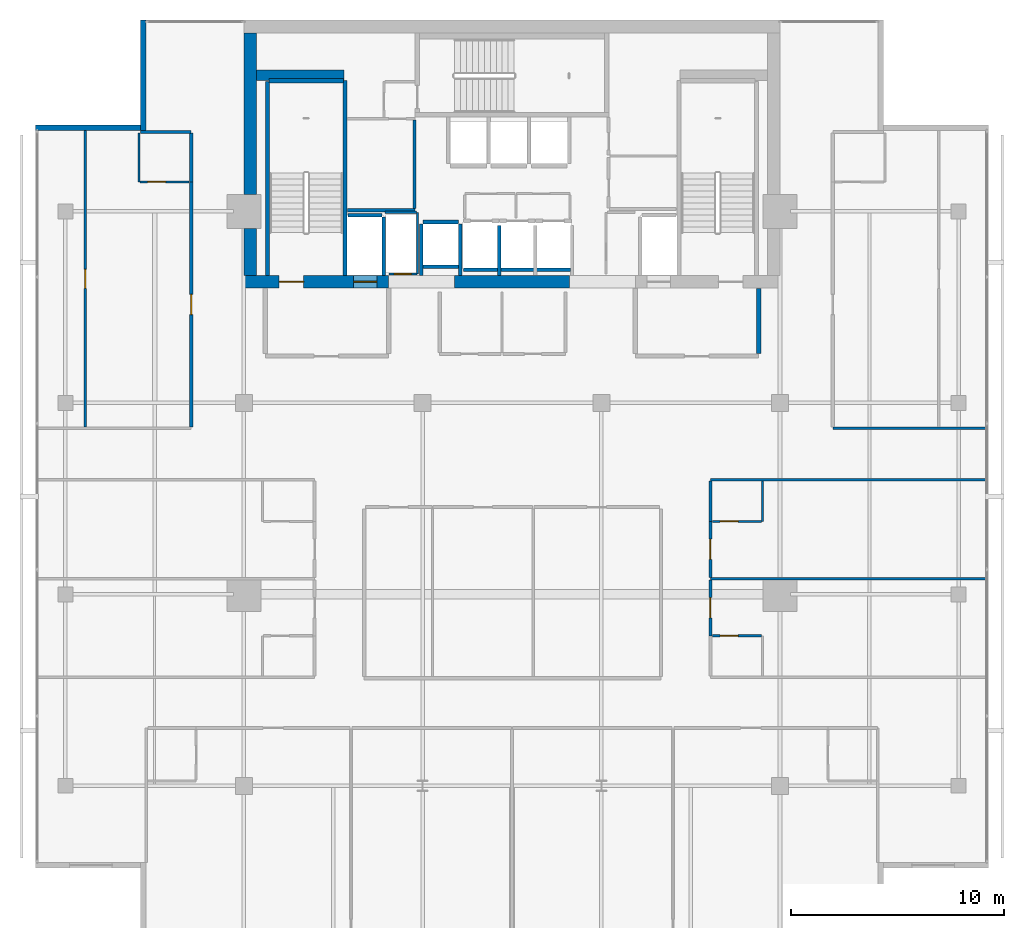
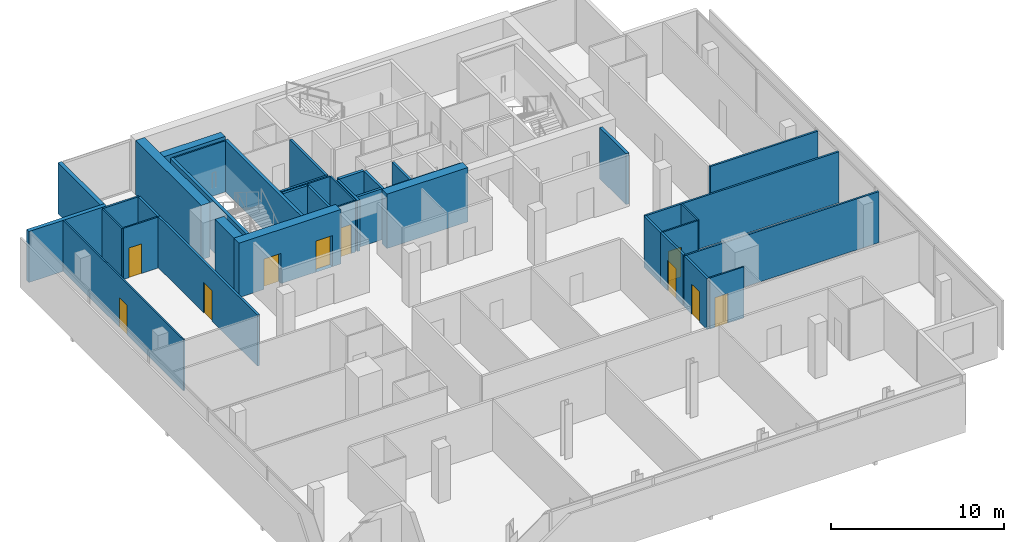
# One storey, part 21 of 25: 39 walls, 10 doors, 10 openings.
"""IFC4 building model written with IfcOpenShell, lengths in metres."""

from ifc_helpers import new_model, si_unit, direction, frame, frame_2d, origin, place, context, subcontext, project, spatial, rectangle, extrude, material, layer, layer_set, type_object, element, fill, save


model = new_model("IFC4")

# Units and contexts
model_context = context("Model", 3, precision=1e-05, world=origin(), true_north=direction((0.0, 1.0)))
body_context = subcontext(model_context, "Body", "Model", "MODEL_VIEW")
ifc_project = project(units=[si_unit("LENGTHUNIT", "METRE"), si_unit("AREAUNIT", "SQUARE_METRE"), si_unit("VOLUMEUNIT", "CUBIC_METRE"), si_unit("PLANEANGLEUNIT", "RADIAN"), si_unit("MASSUNIT", "GRAM", prefix="KILO")], contexts=[model_context])

# Site, building, storey
site_placement = place(None, origin())
site = spatial("IfcSite", under=ifc_project, at=site_placement, CompositionType="ELEMENT")
building_placement = place(site_placement, origin())
building = spatial("IfcBuilding", under=site, at=building_placement, Name="Maruvema Waterfront Hotel and Observation Tower", CompositionType="ELEMENT")
storey_placement = place(building_placement, frame((0.0, 0.0, 277.89990234375)))
storey = spatial("IfcBuildingStorey", under=building, at=storey_placement, Name="L68", CompositionType="ELEMENT", Elevation=277.89990234375)

# Walls
ifc_material_1 = material(Name="Twin-stud acoustic gypsum drywall", Category="gypsum")
ifc_layer_1 = layer(ifc_material_1, 0.14990234375, Name="Acoustic Corridor and Suite Demising Wall 150 mm")
ifc_layer_set_1 = layer_set([ifc_layer_1], Name="Twin-stud acoustic gypsum drywall")
wall_type_1 = type_object("IfcWallType", Name="Acoustic Corridor and Suite Demising Wall 150 mm", PredefinedType="PARTITIONING", material=ifc_layer_set_1)
wall_1_placement = place(storey_placement, frame((30.06005859375, 45.06005859375, 0.0), z_axis=(0.0, 0.0, 1.0), x_axis=(1.0, 0.0, 0.0)))
element("IfcWall", 1, at=wall_1_placement, inside=storey, type_object=wall_type_1, Name="L68 Freed B1 South Wall 017", PredefinedType="PARTITIONING", context=body_context, shape_type="SweptSolid", body=[
    extrude(rectangle(XDim=3.179931640625, YDim=0.14990234375, at=frame_2d((1.58984375, 0.0))), origin(), (0.0, 0.0, 1.0), 3.610107421875),
])
wall_2_placement = place(storey_placement, frame((33.219970703125, 45.139892578125, 0.0), z_axis=(0.0, 0.0, 1.0), x_axis=(0.0, 1.0, 0.0)))
element("IfcWall", 2, at=wall_2_placement, inside=storey, type_object=wall_type_1, Name="L68 Freed B1 East Wall 018", PredefinedType="PARTITIONING", context=body_context, shape_type="SweptSolid", body=[
    extrude(rectangle(XDim=4.16015625, YDim=0.14990234375, at=frame_2d((2.080078125, 0.0))), origin(), (0.0, 0.0, 1.0), 3.610107421875),
])

# Wall, opening, door
wall_3_placement = place(storey_placement, frame((47.1298828125, 25.050048828125, 0.0), z_axis=(0.0, 0.0, 1.0), x_axis=(0.0, 1.0, 0.0)))
wall_3 = element("IfcWall", 3, at=wall_3_placement, inside=storey, type_object=wall_type_1, Name="L68 Room L68-E1 Corridor Wall 063", PredefinedType="PARTITIONING", context=body_context, shape_type="SweptSolid", body=[
    extrude(rectangle(XDim=2.6298828125, YDim=0.14990234375, at=frame_2d((1.31494140625, 0.0))), origin(), (0.0, 0.0, 1.0), 3.610107421875),
])
opening_1_placement = place(wall_3_placement, frame((0.840087890625, 0.0, 0.0)))
opening_1 = element("IfcOpeningElement", 4, at=opening_1_placement, cuts=wall_3, Name="Opening DR-095", PredefinedType="OPENING", context=body_context, shape_type="SweptSolid", body=[
    extrude(rectangle(XDim=0.949951171875, YDim=2.14990234375, at=frame_2d((0.47509765625, 1.074951171875))), frame((0.0, 0.0849609375, 0.0), z_axis=(0.0, -1.0, 0.0), x_axis=(1.0, 0.0, 0.0)), (0.0, 0.0, 1.0), 0.169921875),
])
ifc_material_2 = material(Name="Acoustic solid-core hardwood timber leaf", Category="wood")
door_type_1 = type_object("IfcDoorType", Name="Guestroom Entrance Fire Door 950x2150 mm", OperationType="NOTDEFINED", PredefinedType="DOOR", material=ifc_material_2)
door_1_placement = place(opening_1_placement, frame((0.949951171875, 0.0, 0.0), z_axis=(0.0, 0.0, 1.0), x_axis=(-1.0, 0.0, 0.0)))
door_1 = element("IfcDoor", 5, at=door_1_placement, inside=storey, type_object=door_type_1, Name="L68 Room L68-E1 Entrance Door", OperationType="SINGLE_SWING_LEFT", OverallHeight=2.14990234375, OverallWidth=0.949951171875, PredefinedType="DOOR", context=body_context, shape_type="SweptSolid", body=[
    extrude(rectangle(XDim=0.949951171875, YDim=2.14990234375, at=frame_2d((0.47509765625, 1.074951171875))), frame((0.0, 0.02490234375, 0.0), z_axis=(0.0, -1.0, 0.0), x_axis=(1.0, 0.0, 0.0)), (0.0, 0.0, 1.0), 0.050048828125),
])
fill(opening_1, door_1)

wall_4_placement = place(storey_placement, frame((47.1298828125, 27.800048828125, 0.0), z_axis=(0.0, 0.0, 1.0), x_axis=(0.0, 1.0, 0.0)))
wall_4 = element("IfcWall", 6, at=wall_4_placement, inside=storey, type_object=wall_type_1, Name="L68 Room L68-E2 Corridor Wall 072", PredefinedType="PARTITIONING", context=body_context, shape_type="SweptSolid", body=[
    extrude(rectangle(XDim=2.6298828125, YDim=0.14990234375, at=frame_2d((1.31494140625, 0.0))), origin(), (0.0, 0.0, 1.0), 3.610107421875),
])
opening_2_placement = place(wall_4_placement, frame((0.840087890625, 0.0, 0.0)))
opening_2 = element("IfcOpeningElement", 7, at=opening_2_placement, cuts=wall_4, Name="Opening DR-095", PredefinedType="OPENING", context=body_context, shape_type="SweptSolid", body=[
    extrude(rectangle(XDim=0.949951171875, YDim=2.14990234375, at=frame_2d((0.47509765625, 1.074951171875))), frame((0.0, 0.0849609375, 0.0), z_axis=(0.0, -1.0, 0.0), x_axis=(1.0, 0.0, 0.0)), (0.0, 0.0, 1.0), 0.169921875),
])
door_2_placement = place(opening_2_placement, frame((0.949951171875, 0.0, 0.0), z_axis=(0.0, 0.0, 1.0), x_axis=(-1.0, 0.0, 0.0)))
door_2 = element("IfcDoor", 8, at=door_2_placement, inside=storey, type_object=door_type_1, Name="L68 Room L68-E2 Entrance Door", OperationType="SINGLE_SWING_LEFT", OverallHeight=2.14990234375, OverallWidth=0.949951171875, PredefinedType="DOOR", context=body_context, shape_type="SweptSolid", body=[
    extrude(rectangle(XDim=0.949951171875, YDim=2.14990234375, at=frame_2d((0.47509765625, 1.074951171875))), frame((0.0, 0.02490234375, 0.0), z_axis=(0.0, -1.0, 0.0), x_axis=(1.0, 0.0, 0.0)), (0.0, 0.0, 1.0), 0.050048828125),
])
fill(opening_2, door_2)

# Wall
wall_5_placement = place(storey_placement, frame((47.1298828125, 30.429931640625, 0.0), z_axis=(0.0, 0.0, 1.0), x_axis=(0.0, 1.0, 0.0)))
element("IfcWall", 9, at=wall_5_placement, inside=storey, type_object=wall_type_1, Name="L68 Bath L68-E2 Wall 073", PredefinedType="PARTITIONING", context=body_context, shape_type="SweptSolid", body=[
    extrude(rectangle(XDim=1.89013671875, YDim=0.14990234375, at=frame_2d((0.945068359375, 0.0))), origin(), (0.0, 0.0, 1.0), 3.610107421875),
])

# Wall, opening, door
wall_6_placement = place(storey_placement, frame((22.719970703125, 34.860107421875, 0.0), z_axis=(0.0, 0.0, 1.0), x_axis=(0.0, 1.0, 0.0)))
wall_6 = element("IfcWall", 10, at=wall_6_placement, inside=storey, type_object=wall_type_1, Name="L68 Room L68-NW1 Corridor Wall 080", PredefinedType="PARTITIONING", context=body_context, shape_type="SweptSolid", body=[
    extrude(rectangle(XDim=11.52734375, YDim=0.14990234375, at=frame_2d((5.763671875, 0.0))), origin(), (0.0, 0.0, 1.0), 3.610107421875),
])
opening_3_placement = place(wall_6_placement, frame((5.288818359375, 0.0, 0.0)))
opening_3 = element("IfcOpeningElement", 11, at=opening_3_placement, cuts=wall_6, Name="Opening DR-095", PredefinedType="OPENING", context=body_context, shape_type="SweptSolid", body=[
    extrude(rectangle(XDim=0.949951171875, YDim=2.14990234375, at=frame_2d((0.47509765625, 1.074951171875))), frame((0.0, 0.0849609375, 0.0), z_axis=(0.0, -1.0, 0.0), x_axis=(1.0, 0.0, 0.0)), (0.0, 0.0, 1.0), 0.169921875),
])
door_3_placement = place(opening_3_placement, origin())
door_3 = element("IfcDoor", 12, at=door_3_placement, inside=storey, type_object=door_type_1, Name="L68 Room L68-NW1 Entrance Door", OperationType="SINGLE_SWING_LEFT", OverallHeight=2.14990234375, OverallWidth=0.949951171875, PredefinedType="DOOR", context=body_context, shape_type="SweptSolid", body=[
    extrude(rectangle(XDim=0.949951171875, YDim=2.14990234375, at=frame_2d((0.47509765625, 1.074951171875))), frame((0.0, 0.02490234375, 0.0), z_axis=(0.0, -1.0, 0.0), x_axis=(1.0, 0.0, 0.0)), (0.0, 0.0, 1.0), 0.050048828125),
])
fill(opening_3, door_3)

# Walls
wall_7_placement = place(storey_placement, frame((22.719970703125, 46.387451171875, 0.0), z_axis=(0.0, 0.0, 1.0), x_axis=(0.0, 1.0, 0.0)))
element("IfcWall", 13, at=wall_7_placement, inside=storey, type_object=wall_type_1, Name="L68 Bath L68-NW1 Wall 081", PredefinedType="PARTITIONING", context=body_context, shape_type="SweptSolid", body=[
    extrude(rectangle(XDim=2.2900390625, YDim=0.14990234375, at=frame_2d((1.14501953125, 0.0))), origin(), (0.0, 0.0, 1.0), 3.610107421875),
])
ifc_material_3 = material(Name="Precast concrete C45/55", Category="concrete")
ifc_layer_2 = layer(ifc_material_3, 0.199951171875, Name="Core Shaft and Stairwell Enclosure Wall 200 mm")
ifc_layer_set_2 = layer_set([ifc_layer_2], Name="Precast concrete C45/55")
wall_type_2 = type_object("IfcWallType", Name="Core Shaft and Stairwell Enclosure Wall 200 mm", PredefinedType="SOLIDWALL", material=ifc_layer_set_2)
wall_8_placement = place(storey_placement, frame((29.949951171875, 42.0, 0.0), z_axis=(0.0, 0.0, 1.0), x_axis=(0.0, 1.0, 0.0)))
element("IfcWall", 14, at=wall_8_placement, inside=storey, type_object=wall_type_2, Name="L68 Stairwell ST-01 East Shaft Wall", PredefinedType="SOLIDWALL", context=body_context, shape_type="SweptSolid", body=[
    extrude(rectangle(XDim=9.14990234375, YDim=0.199951171875, at=frame_2d((4.574951171875, 0.0))), origin(), (0.0, 0.0, 1.0), 3.610107421875),
])
wall_9_placement = place(storey_placement, frame((26.300048828125, 42.0, 0.0), z_axis=(0.0, 0.0, 1.0), x_axis=(0.0, 1.0, 0.0)))
element("IfcWall", 15, at=wall_9_placement, inside=storey, type_object=wall_type_2, Name="L68 Stairwell ST-01 Shaft Lining Wall", PredefinedType="SOLIDWALL", context=body_context, shape_type="SweptSolid", body=[
    extrude(rectangle(XDim=9.1201171875, YDim=0.199951171875, at=frame_2d((4.56005859375, 0.0))), origin(), (0.0, 0.0, 1.0), 3.610107421875),
])
wall_10_placement = place(storey_placement, frame((26.3798828125, 51.14990234375, 0.0), z_axis=(0.0, 0.0, 1.0), x_axis=(1.0, 0.0, 0.0)))
element("IfcWall", 16, at=wall_10_placement, inside=storey, type_object=wall_type_2, Name="L68 Stairwell ST-01 Shaft Lining Wall", PredefinedType="SOLIDWALL", context=body_context, shape_type="SweptSolid", body=[
    extrude(rectangle(XDim=3.5, YDim=0.199951171875, at=frame_2d((1.75, 0.0))), origin(), (0.0, 0.0, 1.0), 3.610107421875),
])
wall_11_placement = place(storey_placement, frame((33.610107421875, 44.5, 0.0), z_axis=(0.0, 0.0, 1.0), x_axis=(1.0, 0.0, 0.0)))
element("IfcWall", 17, at=wall_11_placement, inside=storey, type_object=wall_type_2, Name="L68 Lift LF-15 Hoistway Front Wall", PredefinedType="SOLIDWALL", context=body_context, shape_type="SweptSolid", body=[
    extrude(rectangle(XDim=1.679931640625, YDim=0.199951171875, at=frame_2d((0.83984375, 0.0))), origin(), (0.0, 0.0, 1.0), 3.610107421875),
])
ifc_material_4 = material(Name="Concrete C70/85", Category="concrete")
ifc_layer_3 = layer(ifc_material_4, 0.5, Name="Core Shear Wall 500 mm")
ifc_layer_set_3 = layer_set([ifc_layer_3], Name="Concrete C70/85")
wall_type_3 = type_object("IfcWallType", Name="Core Shear Wall 500 mm", PredefinedType="SHEAR", material=ifc_layer_set_3)
wall_12_placement = place(storey_placement, frame((25.800048828125, 51.39990234375, 0.0), z_axis=(0.0, 0.0, 1.0), x_axis=(1.0, 0.0, 0.0)))
element("IfcWall", 18, at=wall_12_placement, inside=storey, type_object=wall_type_3, Name="L68 Internal Core Shear Wall NW 500 mm", PredefinedType="SHEAR", context=body_context, shape_type="SweptSolid", body=[
    extrude(rectangle(XDim=4.099853515625, YDim=0.5, at=frame_2d((2.0498046875, 0.0))), origin(), (0.0, 0.0, 1.0), 3.85009765625),
])

# Wall, openings, doors
ifc_material_5 = material(Name="Concrete C60/75", Category="concrete")
ifc_layer_4 = layer(ifc_material_5, 0.60009765625, Name="Core Shear Wall 600 mm")
ifc_layer_set_4 = layer_set([ifc_layer_4], Name="Concrete C60/75")
wall_type_4 = type_object("IfcWallType", Name="Core Shear Wall 600 mm", PredefinedType="SHEAR", material=ifc_layer_set_4)
wall_13_placement = place(storey_placement, frame((25.199951171875, 41.699951171875, 0.0), z_axis=(0.0, 0.0, 1.0), x_axis=(1.0, 0.0, 0.0)))
wall_13 = element("IfcWall", 19, at=wall_13_placement, inside=storey, type_object=wall_type_4, Name="L68 South-West Core Shear Wall", PredefinedType="SHEAR", context=body_context, shape_type="SweptSolid", body=[
    extrude(rectangle(XDim=6.800048828125, YDim=0.60009765625, at=frame_2d((3.39990234375, 0.0))), origin(), (0.0, 0.0, 1.0), 3.85009765625),
])
opening_4_placement = place(wall_13_placement, frame((1.64990234375, 0.0, 0.0)))
opening_4 = element("IfcOpeningElement", 20, at=opening_4_placement, cuts=wall_13, Name="Opening SD-01", PredefinedType="OPENING", context=body_context, shape_type="SweptSolid", body=[
    extrude(rectangle(XDim=1.14990234375, YDim=2.14990234375, at=frame_2d((0.574951171875, 1.074951171875))), frame((0.0, 0.31005859375, 0.0), z_axis=(0.0, -1.0, 0.0), x_axis=(1.0, 0.0, 0.0)), (0.0, 0.0, 1.0), 0.6201171875),
])
opening_5_placement = place(wall_13_placement, frame((5.14990234375, 0.0, 0.0)))
opening_5 = element("IfcOpeningElement", 21, at=opening_5_placement, cuts=wall_13, Name="Opening LD-03", PredefinedType="OPENING", context=body_context, shape_type="SweptSolid", body=[
    extrude(rectangle(XDim=1.10009765625, YDim=2.199951171875, at=frame_2d((0.550048828125, 1.10009765625))), frame((0.0, 0.31005859375, 0.0), z_axis=(0.0, -1.0, 0.0), x_axis=(1.0, 0.0, 0.0)), (0.0, 0.0, 1.0), 0.6201171875),
])
ifc_material_6 = material(Name="Fire-rated galvanised steel leaf", Category="steel")
door_type_2 = type_object("IfcDoorType", Name="Exit Stair Fire Door 1150x2150 mm", OperationType="NOTDEFINED", PredefinedType="DOOR", material=ifc_material_6)
door_4_placement = place(opening_4_placement, origin())
door_4 = element("IfcDoor", 22, at=door_4_placement, inside=storey, type_object=door_type_2, Name="L68 Exit Stair ST-01 Fire Door", OperationType="SINGLE_SWING_LEFT", OverallHeight=2.14990234375, OverallWidth=1.14990234375, PredefinedType="DOOR", context=body_context, shape_type="SweptSolid", body=[
    extrude(rectangle(XDim=1.14990234375, YDim=2.14990234375, at=frame_2d((0.574951171875, 1.074951171875))), frame((0.0, 0.02490234375, 0.0), z_axis=(0.0, -1.0, 0.0), x_axis=(1.0, 0.0, 0.0)), (0.0, 0.0, 1.0), 0.050048828125),
])
fill(opening_4, door_4)
ifc_material_7 = material(Name="Brushed stainless steel Grade 316", Category="steel")
door_type_3 = type_object("IfcDoorType", Name="Firefighting Lift Sliding Landing Door 1100x2200 mm", OperationType="SLIDING_TO_LEFT", PredefinedType="DOOR", material=ifc_material_7)
door_5_placement = place(opening_5_placement, frame((1.10009765625, 0.0, 0.0), z_axis=(0.0, 0.0, 1.0), x_axis=(-1.0, 0.0, 0.0)))
door_5 = element("IfcDoor", 23, at=door_5_placement, inside=storey, type_object=door_type_3, Name="L68 Firefighting Lift FL-01 Landing Door", OperationType="SLIDING_TO_LEFT", OverallHeight=2.199951171875, OverallWidth=1.10009765625, PredefinedType="DOOR", context=body_context, shape_type="SweptSolid", body=[
    extrude(rectangle(XDim=1.10009765625, YDim=2.199951171875, at=frame_2d((0.550048828125, 1.10009765625))), frame((0.0, 0.02490234375, 0.0), z_axis=(0.0, -1.0, 0.0), x_axis=(1.0, 0.0, 0.0)), (0.0, 0.0, 1.0), 0.050048828125),
])
fill(opening_5, door_5)

# Walls
wall_14_placement = place(storey_placement, frame((35.10009765625, 41.699951171875, 0.0), z_axis=(0.0, 0.0, 1.0), x_axis=(1.0, 0.0, 0.0)))
element("IfcWall", 24, at=wall_14_placement, inside=storey, type_object=wall_type_4, Name="L68 South-Central Core Shear Wall", PredefinedType="SHEAR", context=body_context, shape_type="SweptSolid", body=[
    extrude(rectangle(XDim=5.39990234375, YDim=0.60009765625, at=frame_2d((2.699951171875, 0.0))), origin(), (0.0, 0.0, 1.0), 3.85009765625),
])
wall_15_placement = place(storey_placement, frame((25.5, 42.0, 0.0), z_axis=(0.0, 0.0, 1.0), x_axis=(0.0, 1.0, 0.0)))
element("IfcWall", 25, at=wall_15_placement, inside=storey, type_object=wall_type_4, Name="L68 West-South Core Shear Wall", PredefinedType="SHEAR", context=body_context, shape_type="SweptSolid", body=[
    extrude(rectangle(XDim=2.199951171875, YDim=0.60009765625, at=frame_2d((1.10009765625, 0.0))), origin(), (0.0, 0.0, 1.0), 3.85009765625),
])
wall_16_placement = place(storey_placement, frame((25.5, 45.800048828125, 0.0), z_axis=(0.0, 0.0, 1.0), x_axis=(0.0, 1.0, 0.0)))
element("IfcWall", 26, at=wall_16_placement, inside=storey, type_object=wall_type_4, Name="L68 West-North Core Shear Wall", PredefinedType="SHEAR", context=body_context, shape_type="SweptSolid", body=[
    extrude(rectangle(XDim=7.599853515625, YDim=0.60009765625, at=frame_2d((3.7998046875, 0.0))), origin(), (0.0, 0.0, 1.0), 3.85009765625),
])

# Wall, opening, door
ifc_material_8 = material(Name="Moisture-resistant cement-board drywall", Category="gypsum")
ifc_layer_5 = layer(ifc_material_8, 0.10009765625, Name="En-Suite Moisture-Resistant Partition 100 mm")
ifc_layer_set_5 = layer_set([ifc_layer_5], Name="Moisture-resistant cement-board drywall")
wall_type_5 = type_object("IfcWallType", Name="En-Suite Moisture-Resistant Partition 100 mm", PredefinedType="PARTITIONING", material=ifc_layer_set_5)
wall_17_placement = place(storey_placement, frame((32.02001953125, 42.06005859375, 0.0), z_axis=(0.0, 0.0, 1.0), x_axis=(1.0, 0.0, 0.0)))
wall_17 = element("IfcWall", 27, at=wall_17_placement, inside=storey, type_object=wall_type_5, Name="L68 Telecom Riser South Wall 007", PredefinedType="PARTITIONING", context=body_context, shape_type="SweptSolid", body=[
    extrude(rectangle(XDim=1.320068359375, YDim=0.10009765625, at=frame_2d((0.66015625, 0.0))), origin(), (0.0, 0.0, 1.0), 3.610107421875),
])
opening_6_placement = place(wall_17_placement, frame((0.239990234375, 0.0, 0.0)))
opening_6 = element("IfcOpeningElement", 28, at=opening_6_placement, cuts=wall_17, Name="Opening DR-080", PredefinedType="OPENING", context=body_context, shape_type="SweptSolid", body=[
    extrude(rectangle(XDim=0.800048828125, YDim=2.050048828125, at=frame_2d((0.39990234375, 1.02490234375))), frame((0.0, 0.06005859375, 0.0), z_axis=(0.0, -1.0, 0.0), x_axis=(1.0, 0.0, 0.0)), (0.0, 0.0, 1.0), 0.1201171875),
])
ifc_material_9 = material(Name="Powder-coated steel access leaf", Category="steel")
door_type_4 = type_object("IfcDoorType", Name="Riser and Service Cupboard Door 800x2050 mm", OperationType="NOTDEFINED", PredefinedType="DOOR", material=ifc_material_9)
door_6_placement = place(opening_6_placement, frame((0.800048828125, 0.0, 0.0), z_axis=(0.0, 0.0, 1.0), x_axis=(-1.0, 0.0, 0.0)))
door_6 = element("IfcDoor", 29, at=door_6_placement, inside=storey, type_object=door_type_4, Name="L68 Telecom Riser Door", OperationType="SINGLE_SWING_LEFT", OverallHeight=2.050048828125, OverallWidth=0.800048828125, PredefinedType="DOOR", context=body_context, shape_type="SweptSolid", body=[
    extrude(rectangle(XDim=0.800048828125, YDim=2.050048828125, at=frame_2d((0.39990234375, 1.02490234375))), frame((0.0, 0.02490234375, 0.0), z_axis=(0.0, -1.0, 0.0), x_axis=(1.0, 0.0, 0.0)), (0.0, 0.0, 1.0), 0.050048828125),
])
fill(opening_6, door_6)

# Walls
wall_18_placement = place(storey_placement, frame((31.840087890625, 44.9599609375, 0.0), z_axis=(0.0, 0.0, 1.0), x_axis=(1.0, 0.0, 0.0)))
element("IfcWall", 30, at=wall_18_placement, inside=storey, type_object=wall_type_5, Name="L68 Telecom Riser North Wall 008", PredefinedType="PARTITIONING", context=body_context, shape_type="SweptSolid", body=[
    extrude(rectangle(XDim=1.47998046875, YDim=0.10009765625, at=frame_2d((0.739990234375, 0.0))), origin(), (0.0, 0.0, 1.0), 3.610107421875),
])
wall_19_placement = place(storey_placement, frame((33.360107421875, 42.06005859375, 0.0), z_axis=(0.0, 0.0, 1.0), x_axis=(0.0, 1.0, 0.0)))
element("IfcWall", 31, at=wall_19_placement, inside=storey, type_object=wall_type_5, Name="L68 Telecom Riser East Wall 009", PredefinedType="PARTITIONING", context=body_context, shape_type="SweptSolid", body=[
    extrude(rectangle(XDim=2.8798828125, YDim=0.10009765625, at=frame_2d((1.43994140625, 0.0))), origin(), (0.0, 0.0, 1.0), 3.610107421875),
])

# Wall, opening, door
wall_20_placement = place(storey_placement, frame((47.22998046875, 25.050048828125, 0.0), z_axis=(0.0, 0.0, 1.0), x_axis=(1.0, 0.0, 0.0)))
wall_20 = element("IfcWall", 32, at=wall_20_placement, inside=storey, type_object=wall_type_5, Name="L68 En-Suite L68-E1 N 065", PredefinedType="PARTITIONING", context=body_context, shape_type="SweptSolid", body=[
    extrude(rectangle(XDim=2.300048828125, YDim=0.10009765625, at=frame_2d((1.14990234375, 0.0))), origin(), (0.0, 0.0, 1.0), 3.610107421875),
])
opening_7_placement = place(wall_20_placement, frame((0.35009765625, 0.0, 0.0)))
opening_7 = element("IfcOpeningElement", 33, at=opening_7_placement, cuts=wall_20, Name="Opening DR-085", PredefinedType="OPENING", context=body_context, shape_type="SweptSolid", body=[
    extrude(rectangle(XDim=0.85009765625, YDim=2.10009765625, at=frame_2d((0.425048828125, 1.050048828125))), frame((0.0, 0.06005859375, 0.0), z_axis=(0.0, -1.0, 0.0), x_axis=(1.0, 0.0, 0.0)), (0.0, 0.0, 1.0), 0.1201171875),
])
ifc_material_10 = material(Name="Moisture-resistant solid timber leaf", Category="wood")
door_type_5 = type_object("IfcDoorType", Name="En-Suite Bathroom Door 850x2100 mm", OperationType="NOTDEFINED", PredefinedType="DOOR", material=ifc_material_10)
door_7_placement = place(opening_7_placement, origin())
door_7 = element("IfcDoor", 34, at=door_7_placement, inside=storey, type_object=door_type_5, Name="L68 En-Suite L68-E1 Door", OperationType="SINGLE_SWING_RIGHT", OverallHeight=2.10009765625, OverallWidth=0.85009765625, PredefinedType="DOOR", context=body_context, shape_type="SweptSolid", body=[
    extrude(rectangle(XDim=0.85009765625, YDim=2.10009765625, at=frame_2d((0.425048828125, 1.050048828125))), frame((0.0, 0.02490234375, 0.0), z_axis=(0.0, -1.0, 0.0), x_axis=(1.0, 0.0, 0.0)), (0.0, 0.0, 1.0), 0.050048828125),
])
fill(opening_7, door_7)

# Wall
wall_21_placement = place(storey_placement, frame((49.580078125, 30.429931640625, 0.0), z_axis=(0.0, 0.0, 1.0), x_axis=(0.0, 1.0, 0.0)))
element("IfcWall", 35, at=wall_21_placement, inside=storey, type_object=wall_type_5, Name="L68 En-Suite L68-E2 E 074", PredefinedType="PARTITIONING", context=body_context, shape_type="SweptSolid", body=[
    extrude(rectangle(XDim=1.89013671875, YDim=0.10009765625, at=frame_2d((0.945068359375, 0.0))), origin(), (0.0, 0.0, 1.0), 3.610107421875),
])

# Wall, opening, door
wall_22_placement = place(storey_placement, frame((47.22998046875, 30.429931640625, 0.0), z_axis=(0.0, 0.0, 1.0), x_axis=(1.0, 0.0, 0.0)))
wall_22 = element("IfcWall", 36, at=wall_22_placement, inside=storey, type_object=wall_type_5, Name="L68 En-Suite L68-E2 S 075", PredefinedType="PARTITIONING", context=body_context, shape_type="SweptSolid", body=[
    extrude(rectangle(XDim=2.300048828125, YDim=0.10009765625, at=frame_2d((1.14990234375, 0.0))), origin(), (0.0, 0.0, 1.0), 3.610107421875),
])
opening_8_placement = place(wall_22_placement, frame((0.35009765625, 0.0, 0.0)))
opening_8 = element("IfcOpeningElement", 37, at=opening_8_placement, cuts=wall_22, Name="Opening DR-085", PredefinedType="OPENING", context=body_context, shape_type="SweptSolid", body=[
    extrude(rectangle(XDim=0.85009765625, YDim=2.10009765625, at=frame_2d((0.425048828125, 1.050048828125))), frame((0.0, 0.06005859375, 0.0), z_axis=(0.0, -1.0, 0.0), x_axis=(1.0, 0.0, 0.0)), (0.0, 0.0, 1.0), 0.1201171875),
])
door_8_placement = place(opening_8_placement, frame((0.85009765625, 0.0, 0.0), z_axis=(0.0, 0.0, 1.0), x_axis=(-1.0, 0.0, 0.0)))
door_8 = element("IfcDoor", 38, at=door_8_placement, inside=storey, type_object=door_type_5, Name="L68 En-Suite L68-E2 Door", OperationType="SINGLE_SWING_RIGHT", OverallHeight=2.10009765625, OverallWidth=0.85009765625, PredefinedType="DOOR", context=body_context, shape_type="SweptSolid", body=[
    extrude(rectangle(XDim=0.85009765625, YDim=2.10009765625, at=frame_2d((0.425048828125, 1.050048828125))), frame((0.0, 0.02490234375, 0.0), z_axis=(0.0, -1.0, 0.0), x_axis=(1.0, 0.0, 0.0)), (0.0, 0.0, 1.0), 0.050048828125),
])
fill(opening_8, door_8)

# Wall
wall_23_placement = place(storey_placement, frame((20.27001953125, 46.387451171875, 0.0), z_axis=(0.0, 0.0, 1.0), x_axis=(0.0, 1.0, 0.0)))
element("IfcWall", 39, at=wall_23_placement, inside=storey, type_object=wall_type_5, Name="L68 En-Suite L68-NW1 W 082", PredefinedType="PARTITIONING", context=body_context, shape_type="SweptSolid", body=[
    extrude(rectangle(XDim=2.2900390625, YDim=0.10009765625, at=frame_2d((1.14501953125, 0.0))), origin(), (0.0, 0.0, 1.0), 3.610107421875),
])

# Wall, opening, door
wall_24_placement = place(storey_placement, frame((20.320068359375, 46.387451171875, 0.0), z_axis=(0.0, 0.0, 1.0), x_axis=(1.0, 0.0, 0.0)))
wall_24 = element("IfcWall", 40, at=wall_24_placement, inside=storey, type_object=wall_type_5, Name="L68 En-Suite L68-NW1 S 083", PredefinedType="PARTITIONING", context=body_context, shape_type="SweptSolid", body=[
    extrude(rectangle(XDim=2.300048828125, YDim=0.10009765625, at=frame_2d((1.14990234375, 0.0))), origin(), (0.0, 0.0, 1.0), 3.610107421875),
])
opening_9_placement = place(wall_24_placement, frame((0.35009765625, 0.0, 0.0)))
opening_9 = element("IfcOpeningElement", 41, at=opening_9_placement, cuts=wall_24, Name="Opening DR-085", PredefinedType="OPENING", context=body_context, shape_type="SweptSolid", body=[
    extrude(rectangle(XDim=0.85009765625, YDim=2.10009765625, at=frame_2d((0.425048828125, 1.050048828125))), frame((0.0, 0.06005859375, 0.0), z_axis=(0.0, -1.0, 0.0), x_axis=(1.0, 0.0, 0.0)), (0.0, 0.0, 1.0), 0.1201171875),
])
door_9_placement = place(opening_9_placement, frame((0.85009765625, 0.0, 0.0), z_axis=(0.0, 0.0, 1.0), x_axis=(-1.0, 0.0, 0.0)))
door_9 = element("IfcDoor", 42, at=door_9_placement, inside=storey, type_object=door_type_5, Name="L68 En-Suite L68-NW1 Door", OperationType="SINGLE_SWING_RIGHT", OverallHeight=2.10009765625, OverallWidth=0.85009765625, PredefinedType="DOOR", context=body_context, shape_type="SweptSolid", body=[
    extrude(rectangle(XDim=0.85009765625, YDim=2.10009765625, at=frame_2d((0.425048828125, 1.050048828125))), frame((0.0, 0.02490234375, 0.0), z_axis=(0.0, -1.0, 0.0), x_axis=(1.0, 0.0, 0.0)), (0.0, 0.0, 1.0), 0.050048828125),
])
fill(opening_9, door_9)

wall_25_placement = place(storey_placement, frame((17.737548828125, 34.860107421875, 0.0), z_axis=(0.0, 0.0, 1.0), x_axis=(0.0, 1.0, 0.0)))
wall_25 = element("IfcWall", 43, at=wall_25_placement, inside=storey, type_object=wall_type_5, Name="L68 Suite L68-NW1 Split 084", PredefinedType="PARTITIONING", context=body_context, shape_type="SweptSolid", body=[
    extrude(rectangle(XDim=13.9375, YDim=0.10009765625, at=frame_2d((6.96875, 0.0))), origin(), (0.0, 0.0, 1.0), 3.610107421875),
])
opening_10_placement = place(wall_25_placement, frame((6.518798828125, 0.0, 0.0)))
opening_10 = element("IfcOpeningElement", 44, at=opening_10_placement, cuts=wall_25, Name="Opening DR-090", PredefinedType="OPENING", context=body_context, shape_type="SweptSolid", body=[
    extrude(rectangle(XDim=0.89990234375, YDim=2.10009765625, at=frame_2d((0.449951171875, 1.050048828125))), frame((0.0, 0.06005859375, 0.0), z_axis=(0.0, -1.0, 0.0), x_axis=(1.0, 0.0, 0.0)), (0.0, 0.0, 1.0), 0.1201171875),
])
ifc_material_11 = material(Name="Solid-core lacquered timber leaf", Category="wood")
door_type_6 = type_object("IfcDoorType", Name="Accessible Toilet and Room Door 900x2100 mm", OperationType="NOTDEFINED", PredefinedType="DOOR", material=ifc_material_11)
door_10_placement = place(opening_10_placement, origin())
door_10 = element("IfcDoor", 45, at=door_10_placement, inside=storey, type_object=door_type_6, Name="L68 Suite L68-NW1 Bedroom Door", OperationType="SINGLE_SWING_RIGHT", OverallHeight=2.10009765625, OverallWidth=0.89990234375, PredefinedType="DOOR", context=body_context, shape_type="SweptSolid", body=[
    extrude(rectangle(XDim=0.89990234375, YDim=2.10009765625, at=frame_2d((0.449951171875, 1.050048828125))), frame((0.0, 0.02490234375, 0.0), z_axis=(0.0, -1.0, 0.0), x_axis=(1.0, 0.0, 0.0)), (0.0, 0.0, 1.0), 0.050048828125),
])
fill(opening_10, door_10)

# Walls
ifc_material_12 = material(Name="Precast concrete C45/55 with honed Pernambuco granite facing", Category="masonry")
ifc_layer_6 = layer(ifc_material_12, 0.260009765625, Name="Exterior Granite Clad Spandrel and Pier Wall 260 mm")
ifc_layer_set_6 = layer_set([ifc_layer_6], Name="Precast concrete C45/55 with honed Pernambuco granite facing")
wall_type_6 = type_object("IfcWallType", Name="Exterior Granite Clad Spandrel and Pier Wall 260 mm", PredefinedType="SOLIDWALL", material=ifc_layer_set_6)
wall_26_placement = place(storey_placement, frame((20.469970703125, 48.800048828125, 0.0), z_axis=(0.0, 0.0, 1.0), x_axis=(0.0, 1.0, 0.0)))
element("IfcWall", 46, at=wall_26_placement, inside=storey, type_object=wall_type_6, Name="L68 Corner Notch Granite Pier Wall NW1", PredefinedType="SOLIDWALL", context=body_context, shape_type="SweptSolid", body=[
    extrude(rectangle(XDim=5.199951171875, YDim=0.260009765625, at=frame_2d((2.60009765625, 0.0))), origin(), (0.0, 0.0, 1.0), 3.610107421875),
])
wall_27_placement = place(storey_placement, frame((15.39990234375, 48.929931640625, 0.0), z_axis=(0.0, 0.0, 1.0), x_axis=(1.0, 0.0, 0.0)))
element("IfcWall", 47, at=wall_27_placement, inside=storey, type_object=wall_type_6, Name="L68 Corner Notch Granite Pier Wall NW2", PredefinedType="SOLIDWALL", context=body_context, shape_type="SweptSolid", body=[
    extrude(rectangle(XDim=5.2001953125, YDim=0.260009765625, at=frame_2d((2.60009765625, 0.0))), origin(), (0.0, 0.0, 1.0), 3.610107421875),
])
ifc_material_13 = material(Name="Autoclaved cellular concrete blockwork", Category="masonry")
ifc_layer_7 = layer(ifc_material_13, 0.199951171875, Name="Fire Compartment Masonry Wall 200 mm")
ifc_layer_set_7 = layer_set([ifc_layer_7], Name="Autoclaved cellular concrete blockwork")
wall_type_7 = type_object("IfcWallType", Name="Fire Compartment Masonry Wall 200 mm", PredefinedType="PARTITIONING", material=ifc_layer_set_7)
wall_28_placement = place(storey_placement, frame((49.39990234375, 38.31005859375, 0.0), z_axis=(0.0, 0.0, 1.0), x_axis=(0.0, 1.0, 0.0)))
element("IfcWall", 48, at=wall_28_placement, inside=storey, type_object=wall_type_7, Name="L68 FFL East East Wall 006", PredefinedType="PARTITIONING", context=body_context, shape_type="SweptSolid", body=[
    extrude(rectangle(XDim=3.06982421875, YDim=0.199951171875, at=frame_2d((1.534912109375, 0.0))), origin(), (0.0, 0.0, 1.0), 3.610107421875),
])
ifc_material_14 = material(Name="Acoustic gypsum plasterboard drywall", Category="gypsum")
ifc_layer_8 = layer(ifc_material_14, 0.125, Name="Guestroom Acoustic Demising Wall 125 mm")
ifc_layer_set_8 = layer_set([ifc_layer_8], Name="Acoustic gypsum plasterboard drywall")
wall_type_8 = type_object("IfcWallType", Name="Guestroom Acoustic Demising Wall 125 mm", PredefinedType="PARTITIONING", material=ifc_layer_set_8)
for number, where, z_axis, x_axis, name in (
    (49, (47.1298828125, 32.3798828125, 0.0), (0.0, 0.0, 1.0), (1.0, 0.0, 0.0), "L68 Z3 E Top End 057"),
    (50, (47.1298828125, 27.739990234375, 0.0), (0.0, 0.0, 1.0), (1.0, 0.0, 0.0), "L68 Z3 E Demising 2 067"),
):
    element("IfcWall", number, at=place(storey_placement, frame(where, z_axis=z_axis, x_axis=x_axis)), inside=storey, type_object=wall_type_8, Name=name, PredefinedType="PARTITIONING", context=body_context, shape_type="SweptSolid", body=[
        extrude(rectangle(XDim=12.97021484375, YDim=0.125, at=frame_2d((6.485107421875, 0.0))), origin(), (0.0, 0.0, 1.0), 3.610107421875),
    ])
wall_29_placement = place(storey_placement, frame((52.8798828125, 34.800048828125, 0.0), z_axis=(0.0, 0.0, 1.0), x_axis=(1.0, 0.0, 0.0)))
element("IfcWall", 51, at=wall_29_placement, inside=storey, type_object=wall_type_8, Name="L68 Z3 NE Bot End 077", PredefinedType="PARTITIONING", context=body_context, shape_type="SweptSolid", body=[
    extrude(rectangle(XDim=7.22021484375, YDim=0.125, at=frame_2d((3.610107421875, 0.0))), origin(), (0.0, 0.0, 1.0), 3.610107421875),
])
wall_30_placement = place(storey_placement, frame((20.340087890625, 48.737548828125, 0.0), z_axis=(0.0, 0.0, 1.0), x_axis=(1.0, 0.0, 0.0)))
element("IfcWall", 52, at=wall_30_placement, inside=storey, type_object=wall_type_8, Name="L68 Z3 NW Top End 078", PredefinedType="PARTITIONING", context=body_context, shape_type="SweptSolid", body=[
    extrude(rectangle(XDim=2.3798828125, YDim=0.125, at=frame_2d((1.18994140625, 0.0))), origin(), (0.0, 0.0, 1.0), 3.610107421875),
])
ifc_material_15 = material(Name="Precast concrete C45/55", Category="concrete")
ifc_layer_9 = layer(ifc_material_15, 0.159912109375, Name="Lift Hoistway Divider Wall 160 mm")
ifc_layer_set_9 = layer_set([ifc_layer_9], Name="Precast concrete C45/55")
wall_type_9 = type_object("IfcWallType", Name="Lift Hoistway Divider Wall 160 mm", PredefinedType="SOLIDWALL", material=ifc_layer_set_9)
wall_31_placement = place(storey_placement, frame((30.10009765625, 44.830078125, 0.0), z_axis=(0.0, 0.0, 1.0), x_axis=(1.0, 0.0, 0.0)))
element("IfcWall", 53, at=wall_31_placement, inside=storey, type_object=wall_type_9, Name="L68 Lift FL-01 Rear Hoistway Wall", PredefinedType="SOLIDWALL", context=body_context, shape_type="SweptSolid", body=[
    extrude(rectangle(XDim=1.599853515625, YDim=0.159912109375, at=frame_2d((0.7998046875, 0.0))), origin(), (0.0, 0.0, 1.0), 3.610107421875),
])
wall_32_placement = place(storey_placement, frame((31.780029296875, 42.0, 0.0), z_axis=(0.0, 0.0, 1.0), x_axis=(0.0, 1.0, 0.0)))
element("IfcWall", 54, at=wall_32_placement, inside=storey, type_object=wall_type_9, Name="L68 Lift FL-01 Inner Hoistway Wall", PredefinedType="SOLIDWALL", context=body_context, shape_type="SweptSolid", body=[
    extrude(rectangle(XDim=2.739990234375, YDim=0.159912109375, at=frame_2d((1.3701171875, 0.0))), origin(), (0.0, 0.0, 1.0), 3.610107421875),
])
wall_33_placement = place(storey_placement, frame((37.199951171875, 42.0, 0.0), z_axis=(0.0, 0.0, 1.0), x_axis=(0.0, 1.0, 0.0)))
element("IfcWall", 55, at=wall_33_placement, inside=storey, type_object=wall_type_9, Name="L68 Hoistway Divider Wall", PredefinedType="SOLIDWALL", context=body_context, shape_type="SweptSolid", body=[
    extrude(rectangle(XDim=2.35009765625, YDim=0.159912109375, at=frame_2d((1.175048828125, 0.0))), origin(), (0.0, 0.0, 1.0), 3.610107421875),
])
wall_34_placement = place(storey_placement, frame((35.52001953125, 42.260009765625, 0.0), z_axis=(0.0, 0.0, 1.0), x_axis=(1.0, 0.0, 0.0)))
element("IfcWall", 56, at=wall_34_placement, inside=storey, type_object=wall_type_9, Name="L68 Hoistway Divider Wall", PredefinedType="SOLIDWALL", context=body_context, shape_type="SweptSolid", body=[
    extrude(rectangle(XDim=5.02001953125, YDim=0.159912109375, at=frame_2d((2.510009765625, 0.0))), origin(), (0.0, 0.0, 1.0), 3.610107421875),
])
for number, where, z_axis, x_axis, name in (
    (57, (33.5400390625, 42.0, 0.0), (0.0, 0.0, 1.0), (0.0, 1.0, 0.0), "L68 Hoistway Divider Wall"),
    (58, (35.360107421875, 42.0, 0.0), (0.0, 0.0, 1.0), (0.0, 1.0, 0.0), "L68 Hoistway Divider Wall"),
):
    element("IfcWall", number, at=place(storey_placement, frame(where, z_axis=z_axis, x_axis=x_axis)), inside=storey, type_object=wall_type_9, Name=name, PredefinedType="SOLIDWALL", context=body_context, shape_type="SweptSolid", body=[
        extrude(rectangle(XDim=2.39990234375, YDim=0.159912109375, at=frame_2d((1.199951171875, 0.0))), origin(), (0.0, 0.0, 1.0), 3.610107421875),
    ])
wall_35_placement = place(storey_placement, frame((33.6201171875, 42.39990234375, 0.0), z_axis=(0.0, 0.0, 1.0), x_axis=(1.0, 0.0, 0.0)))
element("IfcWall", 59, at=wall_35_placement, inside=storey, type_object=wall_type_9, Name="L68 Hoistway Divider Wall", PredefinedType="SOLIDWALL", context=body_context, shape_type="SweptSolid", body=[
    extrude(rectangle(XDim=1.659912109375, YDim=0.159912109375, at=frame_2d((0.830078125, 0.0))), origin(), (0.0, 0.0, 1.0), 3.610107421875),
])

save(model, "model.ifc")
